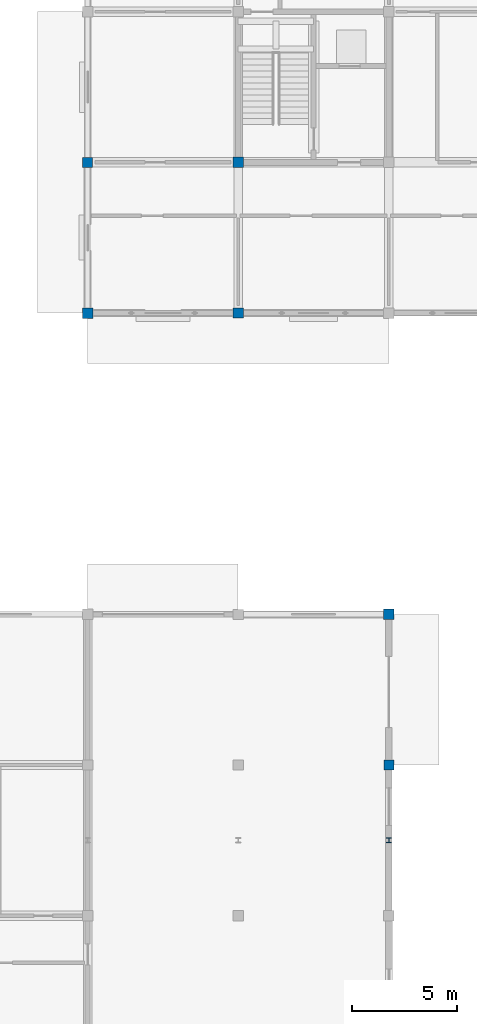
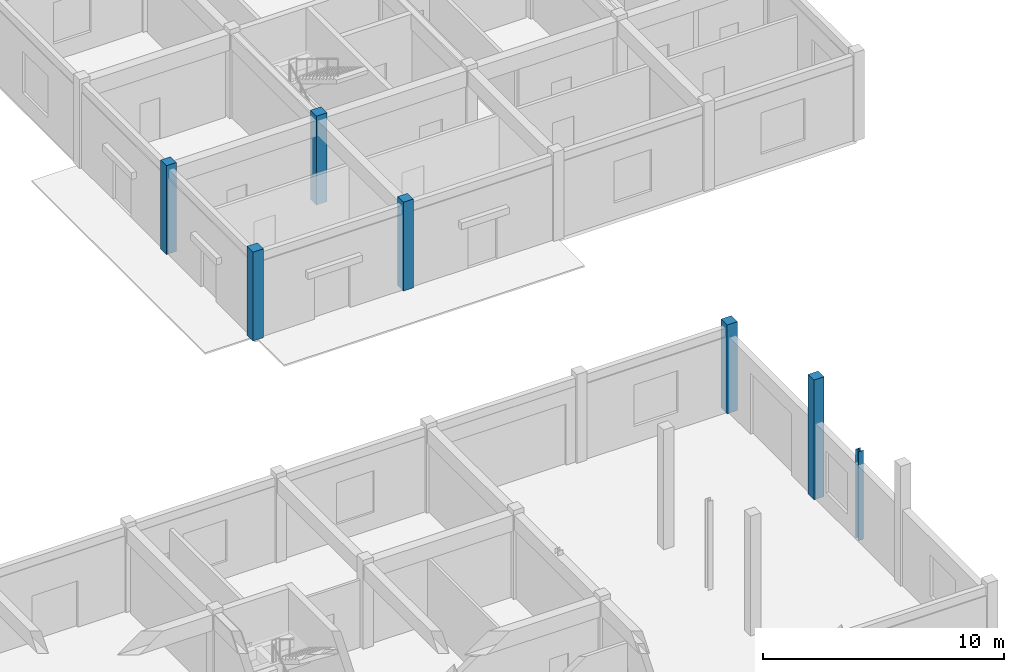
# One storey, part 5 of 138: 7 columns.
"""IFC4 building model written with IfcOpenShell, lengths in metres."""

from ifc_helpers import new_model, si_unit, direction, frame, origin, origin_2d, place, context, subcontext, project, spatial, rectangle, i_section, extrude, material, material_profile, profile_set, type_object, element, save


model = new_model("IFC4")

# Units and contexts
model_context = context("Model", 3, precision=1e-05, world=origin(), true_north=direction((0.0, 1.0)))
body_context = subcontext(model_context, "Body", "Model", "MODEL_VIEW")
ifc_project = project(units=[si_unit("LENGTHUNIT", "METRE"), si_unit("AREAUNIT", "SQUARE_METRE"), si_unit("VOLUMEUNIT", "CUBIC_METRE"), si_unit("PLANEANGLEUNIT", "RADIAN"), si_unit("MASSUNIT", "GRAM", prefix="KILO"), si_unit("THERMODYNAMICTEMPERATUREUNIT", "KELVIN"), si_unit("POWERUNIT", "WATT")], contexts=[model_context])

# Site, building, storey
site_placement = place(None, origin())
site = spatial("IfcSite", under=ifc_project, at=site_placement, CompositionType="ELEMENT")
building_placement = place(site_placement, origin())
building = spatial("IfcBuilding", under=site, at=building_placement, Name="Tavuni Mirador Residences", CompositionType="ELEMENT")
storey_placement = place(building_placement, origin())
storey = spatial("IfcBuildingStorey", under=building, at=storey_placement, Name="L00", CompositionType="ELEMENT", Elevation=0.0)

# Columns
ifc_material_1 = material(Name="Precast concrete C40/50", Category="concrete")
ifc_material_profile_1 = material_profile(ifc_material_1, rectangle(XDim=0.47998046875, YDim=0.47998046875, at=origin_2d()), Name="CORAL 480x480", Category="concrete")
ifc_profile_set_1 = profile_set([ifc_material_profile_1], Name="Precast concrete C40/50")
column_type_1 = type_object("IfcColumnType", Name="CT-PIL480", PredefinedType="PILASTER", material=ifc_profile_set_1)
for number, where, z_axis, x_axis, name in (
    (1, (90.0, 50.39990234375, 0.0), (0.0, 0.0, 1.0), (1.0, 0.0, 0.0), "COL-PAV-NURS-L00-00-01"),
    (2, (97.199951171875, 43.199951171875, 0.0), (0.0, 0.0, 1.0), (1.0, 0.0, 0.0), "COL-PAV-NURS-L00-01-00"),
):
    element("IfcColumn", number, at=place(storey_placement, frame(where, z_axis=z_axis, x_axis=x_axis)), inside=storey, type_object=column_type_1, Name=name, PredefinedType="PILASTER", context=body_context, shape_type="SweptSolid", body=[
        extrude(rectangle(XDim=0.47998046875, YDim=0.47998046875, at=origin_2d()), origin(), (0.0, 0.0, 1.0), 4.5),
    ])
column_1_placement = place(storey_placement, frame((104.39990234375, 21.60009765625, 0.0), z_axis=(0.0, 0.0, 1.0), x_axis=(1.0, 0.0, 0.0)))
element("IfcColumn", 3, at=column_1_placement, inside=storey, type_object=column_type_1, Name="COL-PAV-SHOP-L00-08-02", PredefinedType="PILASTER", context=body_context, shape_type="SweptSolid", body=[
    extrude(rectangle(XDim=0.47998046875, YDim=0.47998046875, at=origin_2d()), origin(), (0.0, 0.0, 1.0), 6.066650390625),
])
ifc_material_profile_2 = material_profile(ifc_material_1, rectangle(XDim=0.5, YDim=0.5, at=origin_2d()), Name="RC 500x500", Category="concrete")
ifc_profile_set_2 = profile_set([ifc_material_profile_2], Name="Precast concrete C40/50")
column_type_2 = type_object("IfcColumnType", Name="CT-RC500", PredefinedType="COLUMN", material=ifc_profile_set_2)
for number, where, z_axis, x_axis, name in (
    (4, (90.0, 43.199951171875, 0.0), (0.0, 0.0, 1.0), (1.0, 0.0, 0.0), "COL-PAV-NURS-L00-00-00"),
    (5, (97.199951171875, 50.39990234375, 0.0), (0.0, 0.0, 1.0), (1.0, 0.0, 0.0), "COL-PAV-NURS-L00-01-01"),
    (6, (104.39990234375, 28.800048828125, 0.0), (0.0, 0.0, 1.0), (1.0, 0.0, 0.0), "COL-PAV-SHOP-L00-08-03"),
):
    element("IfcColumn", number, at=place(storey_placement, frame(where, z_axis=z_axis, x_axis=x_axis)), inside=storey, type_object=column_type_2, Name=name, PredefinedType="COLUMN", context=body_context, shape_type="SweptSolid", body=[
        extrude(rectangle(XDim=0.5, YDim=0.5, at=origin_2d()), origin(), (0.0, 0.0, 1.0), 4.5),
    ])
ifc_material_2 = material(Name="Structural steel S355", Category="steel")
ifc_material_profile_3 = material_profile(ifc_material_2, i_section(OverallWidth=0.239990234375, OverallDepth=0.239990234375, WebThickness=0.010009765625, FlangeThickness=0.01708984375, FilletRadius=0.02099609375, at=origin_2d()), Name="HEB 240", Category="steel")
ifc_profile_set_3 = profile_set([ifc_material_profile_3], Name="Structural steel S355")
column_type_3 = type_object("IfcColumnType", Name="CT-ST-HEB240", PredefinedType="COLUMN", material=ifc_profile_set_3)
column_2_placement = place(storey_placement, frame((104.39990234375, 18.0, 0.0), z_axis=(0.0, 0.0, 1.0), x_axis=(1.0, 0.0, 0.0)))
element("IfcColumn", 7, at=column_2_placement, inside=storey, type_object=column_type_3, Name="COL-SHOP-CP-RDG-L00-3", PredefinedType="COLUMN", context=body_context, shape_type="SweptSolid", body=[
    extrude(i_section(OverallWidth=0.239990234375, OverallDepth=0.239990234375, WebThickness=0.010009765625, FlangeThickness=0.01708984375, FilletRadius=0.02099609375, at=origin_2d()), origin(), (0.0, 0.0, 1.0), 4.5),
])

save(model, "model.ifc")
